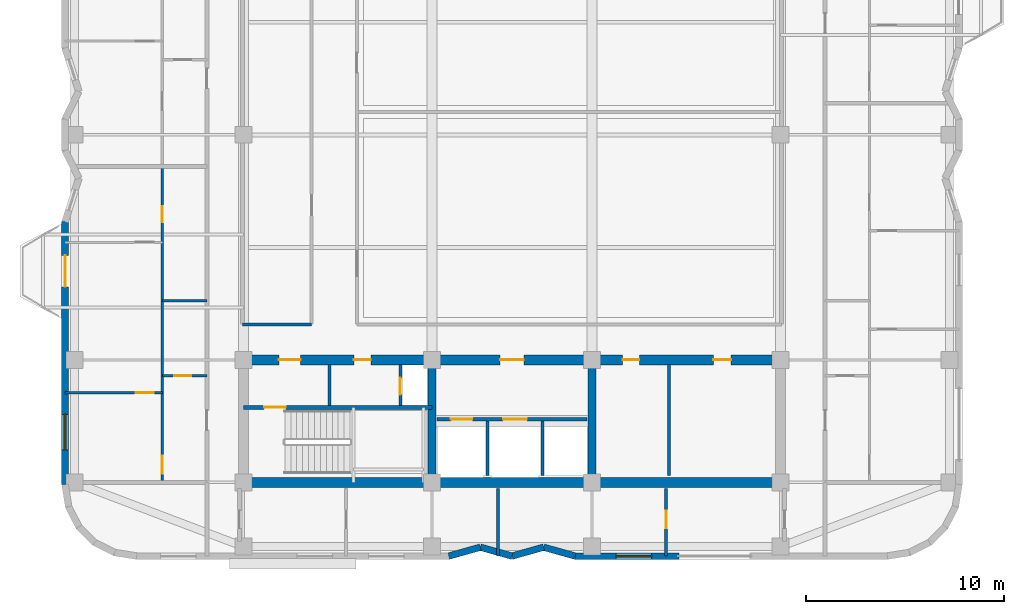
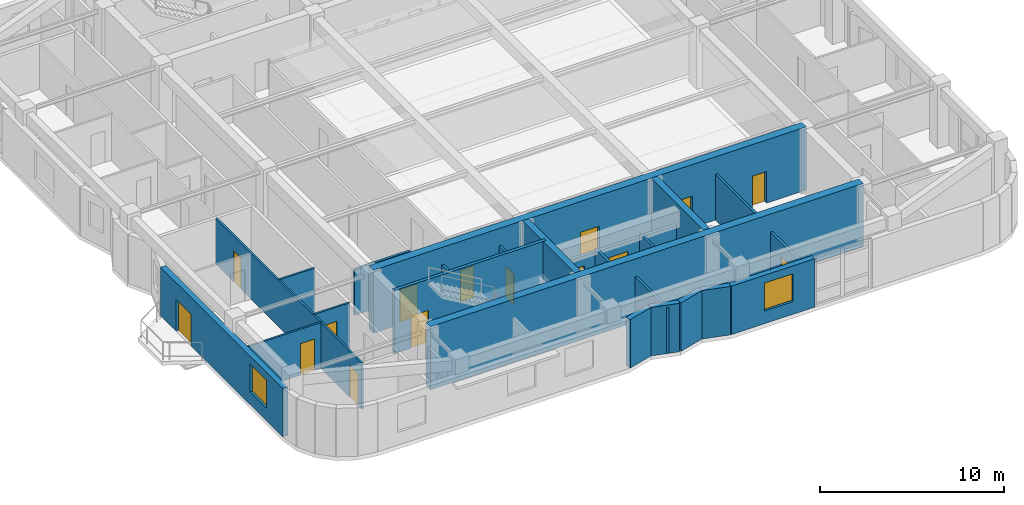
# One storey, part 5 of 11: 24 walls, 15 doors, 2 windows, 17 openings.
"""IFC4 building model written with IfcOpenShell, lengths in metres."""

from ifc_helpers import new_model, si_unit, direction, frame, frame_2d, origin, place, context, subcontext, project, spatial, rectangle, extrude, material, layer, layer_set, type_object, element, fill, save


model = new_model("IFC4")

# Units and contexts
model_context = context("Model", 3, precision=1e-05, world=origin(), true_north=direction((0.0, 1.0)))
body_context = subcontext(model_context, "Body", "Model", "MODEL_VIEW")
ifc_project = project(units=[si_unit("LENGTHUNIT", "METRE"), si_unit("AREAUNIT", "SQUARE_METRE"), si_unit("VOLUMEUNIT", "CUBIC_METRE"), si_unit("PLANEANGLEUNIT", "RADIAN"), si_unit("MASSUNIT", "GRAM", prefix="KILO")], contexts=[model_context])

# Site, building, storey
site_placement = place(None, origin())
site = spatial("IfcSite", under=ifc_project, at=site_placement, CompositionType="ELEMENT")
building_placement = place(site_placement, origin())
building = spatial("IfcBuilding", under=site, at=building_placement, Name="Svetorya Sky Lyceum", CompositionType="ELEMENT")
storey_placement = place(building_placement, frame((0.0, 0.0, 203.10009765625)))
storey = spatial("IfcBuildingStorey", under=building, at=storey_placement, Name="L50", CompositionType="ELEMENT", Elevation=203.10009765625)

# Walls
ifc_material_1 = material(Name="Concrete C40/50", Category="concrete")
ifc_layer_1 = layer(ifc_material_1, 0.39990234375)
ifc_layer_set_1 = layer_set([ifc_layer_1], Name="Concrete C40/50")
wall_type_1 = type_object("IfcWallType", Name="WL-CORE-400", PredefinedType="SHEAR", material=ifc_layer_set_1)
for number, where, z_axis, x_axis, name in (
    (1, (35.14990234375, 10.85009765625, 0.0), (0.0, 0.0, 1.0), (0.0, 1.0, 0.0), "L50 SC Internal Shear Web WEB1"),
    (2, (43.25, 10.85009765625, 0.0), (0.0, 0.0, 1.0), (0.0, 1.0, 0.0), "L50 SC Internal Shear Web WEB2"),
):
    element("IfcWall", number, at=place(storey_placement, frame(where, z_axis=z_axis, x_axis=x_axis)), inside=storey, type_object=wall_type_1, Name=name, PredefinedType="SHEAR", context=body_context, shape_type="SweptSolid", body=[
        extrude(rectangle(XDim=5.699951171875, YDim=0.39990234375, at=frame_2d((2.85009765625, 0.0))), origin(), (0.0, 0.0, 1.0), 4.199951171875),
    ])
ifc_material_2 = material(Name="Concrete C50/60", Category="concrete")
ifc_layer_2 = layer(ifc_material_2, 0.5)
ifc_layer_set_2 = layer_set([ifc_layer_2], Name="Concrete C50/60")
wall_type_2 = type_object("IfcWallType", Name="WL-CORE-500", PredefinedType="SHEAR", material=ifc_layer_set_2)
wall_1_placement = place(storey_placement, frame((52.800048828125, 10.60009765625, 0.0), z_axis=(0.0, 0.0, 1.0), x_axis=(-1.0, 0.0, 0.0)))
element("IfcWall", 3, at=wall_1_placement, inside=storey, type_object=wall_type_2, Name="L50 SC Outer Core Shear Wall", PredefinedType="SHEAR", context=body_context, shape_type="SweptSolid", body=[
    extrude(rectangle(XDim=27.199951171875, YDim=0.5, at=frame_2d((13.60009765625, 0.0))), origin(), (0.0, 0.0, 1.0), 4.199951171875),
])

# Wall, openings, doors
wall_2_placement = place(storey_placement, frame((25.60009765625, 16.800048828125, 0.0), z_axis=(0.0, 0.0, 1.0), x_axis=(1.0, 0.0, 0.0)))
wall_2 = element("IfcWall", 4, at=wall_2_placement, inside=storey, type_object=wall_type_2, Name="L50 SC Inner Core Shear Wall", PredefinedType="SHEAR", context=body_context, shape_type="SweptSolid", body=[
    extrude(rectangle(XDim=27.199951171875, YDim=0.5, at=frame_2d((13.60009765625, 0.0))), origin(), (0.0, 0.0, 1.0), 4.199951171875),
])
opening_1_placement = place(wall_2_placement, frame((1.800048828125, 0.0, 0.0)))
opening_1 = element("IfcOpeningElement", 5, at=opening_1_placement, cuts=wall_2, Name="Opening D-ST1", PredefinedType="OPENING", context=body_context, shape_type="SweptSolid", body=[
    extrude(rectangle(XDim=1.10009765625, YDim=2.14990234375, at=frame_2d((0.550048828125, 1.074951171875))), frame((0.0, 0.260009765625, 0.0), z_axis=(0.0, -1.0, 0.0), x_axis=(1.0, 0.0, 0.0)), (0.0, 0.0, 1.0), 0.52001953125),
])
opening_2_placement = place(wall_2_placement, frame((5.60009765625, 0.0, 0.0)))
opening_2 = element("IfcOpeningElement", 6, at=opening_2_placement, cuts=wall_2, Name="Opening D-CWC1", PredefinedType="OPENING", context=body_context, shape_type="SweptSolid", body=[
    extrude(rectangle(XDim=0.85009765625, YDim=2.10009765625, at=frame_2d((0.425048828125, 1.050048828125))), frame((0.0, 0.260009765625, 0.0), z_axis=(0.0, -1.0, 0.0), x_axis=(1.0, 0.0, 0.0)), (0.0, 0.0, 1.0), 0.52001953125),
])
opening_3_placement = place(wall_2_placement, frame((13.0, 0.0, 0.0)))
opening_3 = element("IfcOpeningElement", 7, at=opening_3_placement, cuts=wall_2, Name="Opening D-FL1", PredefinedType="OPENING", context=body_context, shape_type="SweptSolid", body=[
    extrude(rectangle(XDim=1.199951171875, YDim=2.14990234375, at=frame_2d((0.60009765625, 1.074951171875))), frame((0.0, 0.260009765625, 0.0), z_axis=(0.0, -1.0, 0.0), x_axis=(1.0, 0.0, 0.0)), (0.0, 0.0, 1.0), 0.52001953125),
])
opening_4_placement = place(wall_2_placement, frame((19.199951171875, 0.0, 0.0)))
opening_4 = element("IfcOpeningElement", 8, at=opening_4_placement, cuts=wall_2, Name="Opening D-CWC1", PredefinedType="OPENING", context=body_context, shape_type="SweptSolid", body=[
    extrude(rectangle(XDim=0.85009765625, YDim=2.10009765625, at=frame_2d((0.425048828125, 1.050048828125))), frame((0.0, 0.260009765625, 0.0), z_axis=(0.0, -1.0, 0.0), x_axis=(1.0, 0.0, 0.0)), (0.0, 0.0, 1.0), 0.52001953125),
])
opening_5_placement = place(wall_2_placement, frame((23.800048828125, 0.0, 0.0)))
opening_5 = element("IfcOpeningElement", 9, at=opening_5_placement, cuts=wall_2, Name="Opening D-RM1", PredefinedType="OPENING", context=body_context, shape_type="SweptSolid", body=[
    extrude(rectangle(XDim=0.89990234375, YDim=2.10009765625, at=frame_2d((0.449951171875, 1.050048828125))), frame((0.0, 0.260009765625, 0.0), z_axis=(0.0, -1.0, 0.0), x_axis=(1.0, 0.0, 0.0)), (0.0, 0.0, 1.0), 0.52001953125),
])
ifc_material_3 = material(Name="Fire-rated galvanized steel core service closet door", Category="steel")
door_type_1 = type_object("IfcDoorType", Name="DR-CWET-850", OperationType="SINGLE_SWING_LEFT", PredefinedType="DOOR", material=ifc_material_3)
door_1_placement = place(opening_2_placement, origin())
door_1 = element("IfcDoor", 10, at=door_1_placement, inside=storey, type_object=door_type_1, Name="L50 South Hydrant Room Door", OperationType="SINGLE_SWING_LEFT", OverallHeight=2.10009765625, OverallWidth=0.85009765625, PredefinedType="DOOR", context=body_context, shape_type="SweptSolid", body=[
    extrude(rectangle(XDim=0.85009765625, YDim=2.10009765625, at=frame_2d((0.425048828125, 1.050048828125))), frame((0.0, 0.02490234375, 0.0), z_axis=(0.0, -1.0, 0.0), x_axis=(1.0, 0.0, 0.0)), (0.0, 0.0, 1.0), 0.050048828125),
])
fill(opening_2, door_1)
door_2_placement = place(opening_4_placement, origin())
door_2 = element("IfcDoor", 11, at=door_2_placement, inside=storey, type_object=door_type_1, Name="L50 Laundry Door", OperationType="SINGLE_SWING_RIGHT", OverallHeight=2.10009765625, OverallWidth=0.85009765625, PredefinedType="DOOR", context=body_context, shape_type="SweptSolid", body=[
    extrude(rectangle(XDim=0.85009765625, YDim=2.10009765625, at=frame_2d((0.425048828125, 1.050048828125))), frame((0.0, 0.02490234375, 0.0), z_axis=(0.0, -1.0, 0.0), x_axis=(1.0, 0.0, 0.0)), (0.0, 0.0, 1.0), 0.050048828125),
])
fill(opening_4, door_2)
ifc_material_4 = material(Name="Powder-coated insulated galvanized stair fire door")
door_type_2 = type_object("IfcDoorType", Name="DR-FIRE-1100", OperationType="SINGLE_SWING_LEFT", PredefinedType="DOOR", material=ifc_material_4)
door_3_placement = place(opening_1_placement, origin())
door_3 = element("IfcDoor", 12, at=door_3_placement, inside=storey, type_object=door_type_2, Name="L50 South Stair Airlock Door", OperationType="SINGLE_SWING_RIGHT", OverallHeight=2.14990234375, OverallWidth=1.10009765625, PredefinedType="DOOR", context=body_context, shape_type="SweptSolid", body=[
    extrude(rectangle(XDim=1.10009765625, YDim=2.14990234375, at=frame_2d((0.550048828125, 1.074951171875))), frame((0.0, 0.02490234375, 0.0), z_axis=(0.0, -1.0, 0.0), x_axis=(1.0, 0.0, 0.0)), (0.0, 0.0, 1.0), 0.050048828125),
])
fill(opening_1, door_3)
ifc_material_5 = material(Name="Powder-coated insulated galvanized fire door")
door_type_3 = type_object("IfcDoorType", Name="DR-FIRE-1200", OperationType="SINGLE_SWING_LEFT", PredefinedType="DOOR", material=ifc_material_5)
door_4_placement = place(opening_3_placement, origin())
door_4 = element("IfcDoor", 13, at=door_4_placement, inside=storey, type_object=door_type_3, Name="L50 South Firefighting Lift Lobby Door", OperationType="SINGLE_SWING_LEFT", OverallHeight=2.14990234375, OverallWidth=1.199951171875, PredefinedType="DOOR", context=body_context, shape_type="SweptSolid", body=[
    extrude(rectangle(XDim=1.199951171875, YDim=2.14990234375, at=frame_2d((0.60009765625, 1.074951171875))), frame((0.0, 0.02490234375, 0.0), z_axis=(0.0, -1.0, 0.0), x_axis=(1.0, 0.0, 0.0)), (0.0, 0.0, 1.0), 0.050048828125),
])
fill(opening_3, door_4)
ifc_material_6 = material(Name="Lacquered birch veneer internal door")
door_type_4 = type_object("IfcDoorType", Name="DR-INT-900", OperationType="SINGLE_SWING_LEFT", PredefinedType="DOOR", material=ifc_material_6)
door_5_placement = place(opening_5_placement, origin())
door_5 = element("IfcDoor", 14, at=door_5_placement, inside=storey, type_object=door_type_4, Name="L50 Pantry Door", OperationType="SINGLE_SWING_LEFT", OverallHeight=2.10009765625, OverallWidth=0.89990234375, PredefinedType="DOOR", context=body_context, shape_type="SweptSolid", body=[
    extrude(rectangle(XDim=0.89990234375, YDim=2.10009765625, at=frame_2d((0.449951171875, 1.050048828125))), frame((0.0, 0.02490234375, 0.0), z_axis=(0.0, -1.0, 0.0), x_axis=(1.0, 0.0, 0.0)), (0.0, 0.0, 1.0), 0.050048828125),
])
fill(opening_5, door_5)

# Walls
ifc_material_7 = material(Name="Putilovo limestone rainscreen on autoclaved cellular masonry", Category="masonry")
ifc_layer_3 = layer(ifc_material_7, 0.340087890625)
ifc_layer_set_3 = layer_set([ifc_layer_3], Name="Putilovo limestone rainscreen on autoclaved cellular masonry")
wall_type_3 = type_object("IfcWallType", Name="WL-EXT-340", PredefinedType="SOLIDWALL", material=ifc_layer_set_3)
wall_3_placement = place(storey_placement, frame((36.0, 6.8701171875, 0.0), z_axis=(0.0, 0.0, 1.0), x_axis=(0.962662902433, 0.270703040766, 0.0)))
element("IfcWall", 15, at=wall_3_placement, inside=storey, type_object=wall_type_3, Name="L50 Limestone Exterior Wall 7M", PredefinedType="SOLIDWALL", context=body_context, shape_type="SweptSolid", body=[
    extrude(rectangle(XDim=1.662109375, YDim=0.340087890625, at=frame_2d((0.8310546875, 0.0))), origin(), (0.0, 0.0, 1.0), 3.219970703125),
])
wall_4_placement = place(storey_placement, frame((37.60009765625, 7.320068359375, 0.0), z_axis=(0.0, 0.0, 1.0), x_axis=(0.962652136636, -0.270741322725, 0.0)))
element("IfcWall", 16, at=wall_4_placement, inside=storey, type_object=wall_type_3, Name="L50 Limestone Exterior Wall 8M", PredefinedType="SOLIDWALL", context=body_context, shape_type="SweptSolid", body=[
    extrude(rectangle(XDim=1.661865234375, YDim=0.340087890625, at=frame_2d((0.8310546875, 0.0))), origin(), (0.0, 0.0, 1.0), 3.219970703125),
])
wall_5_placement = place(storey_placement, frame((39.199951171875, 6.8701171875, 0.0), z_axis=(0.0, 0.0, 1.0), x_axis=(0.962662902433, 0.270703040766, 0.0)))
element("IfcWall", 17, at=wall_5_placement, inside=storey, type_object=wall_type_3, Name="L50 Limestone Exterior Wall 9M", PredefinedType="SOLIDWALL", context=body_context, shape_type="SweptSolid", body=[
    extrude(rectangle(XDim=1.662109375, YDim=0.340087890625, at=frame_2d((0.8310546875, 0.0))), origin(), (0.0, 0.0, 1.0), 3.219970703125),
])
wall_6_placement = place(storey_placement, frame((40.800048828125, 7.320068359375, 0.0), z_axis=(0.0, 0.0, 1.0), x_axis=(0.962652136636, -0.270741322725, 0.0)))
element("IfcWall", 18, at=wall_6_placement, inside=storey, type_object=wall_type_3, Name="L50 Limestone Exterior Wall 10M", PredefinedType="SOLIDWALL", context=body_context, shape_type="SweptSolid", body=[
    extrude(rectangle(XDim=1.661865234375, YDim=0.340087890625, at=frame_2d((0.8310546875, 0.0))), origin(), (0.0, 0.0, 1.0), 3.219970703125),
])

# Wall, opening, window
wall_7_placement = place(storey_placement, frame((42.39990234375, 6.8701171875, 0.0), z_axis=(0.0, 0.0, 1.0), x_axis=(1.0, 0.0, 0.0)))
wall_7 = element("IfcWall", 19, at=wall_7_placement, inside=storey, type_object=wall_type_3, Name="L50 Limestone Exterior Wall 11A", PredefinedType="SOLIDWALL", context=body_context, shape_type="SweptSolid", body=[
    extrude(rectangle(XDim=5.25, YDim=0.340087890625, at=frame_2d((2.625, 0.0))), origin(), (0.0, 0.0, 1.0), 3.219970703125),
])
opening_6_placement = place(wall_7_placement, frame((2.074951171875, 0.0, 0.85009765625)))
opening_6 = element("IfcOpeningElement", 20, at=opening_6_placement, cuts=wall_7, Name="Opening W-R1", PredefinedType="OPENING", context=body_context, shape_type="SweptSolid", body=[
    extrude(rectangle(XDim=1.800048828125, YDim=1.85009765625, at=frame_2d((0.89990234375, 0.925048828125))), frame((0.0, 0.179931640625, 0.0), z_axis=(0.0, -1.0, 0.0), x_axis=(1.0, 0.0, 0.0)), (0.0, 0.0, 1.0), 0.360107421875),
])
ifc_material_8 = material(Name="Thermally broken aluminium frame with triple low-E glazing", Category="aluminium")
window_type = type_object("IfcWindowType", Name="WN-RES-180", PartitioningType="DOUBLE_PANEL_VERTICAL", PredefinedType="WINDOW", material=ifc_material_8)
window_1_placement = place(opening_6_placement, origin())
window_1 = element("IfcWindow", 21, at=window_1_placement, inside=storey, type_object=window_type, Name="L50 Facade Window W-R1.11A.1", OverallHeight=1.85009765625, OverallWidth=1.800048828125, PartitioningType="SINGLE_PANEL", PredefinedType="WINDOW", context=body_context, shape_type="SweptSolid", body=[
    extrude(rectangle(XDim=1.800048828125, YDim=1.85009765625, at=frame_2d((0.89990234375, 0.925048828125))), frame((0.0, 0.030029296875, 0.0), z_axis=(0.0, -1.0, 0.0), x_axis=(1.0, 0.0, 0.0)), (0.0, 0.0, 1.0), 0.06005859375),
])
fill(opening_6, window_1)

# Wall, openings, door, window
wall_8_placement = place(storey_placement, frame((16.570068359375, 23.800048828125, 0.0), z_axis=(0.0, 0.0, 1.0), x_axis=(0.0, -1.0, 0.0)))
wall_8 = element("IfcWall", 22, at=wall_8_placement, inside=storey, type_object=wall_type_3, Name="L50 Limestone Exterior Wall 46M", PredefinedType="SOLIDWALL", context=body_context, shape_type="SweptSolid", body=[
    extrude(rectangle(XDim=13.300048828125, YDim=0.340087890625, at=frame_2d((6.64990234375, 0.0))), origin(), (0.0, 0.0, 1.0), 3.219970703125),
])
opening_7_placement = place(wall_8_placement, frame((1.699951171875, 0.0, 0.0)))
opening_7 = element("IfcOpeningElement", 23, at=opening_7_placement, cuts=wall_8, Name="Opening D-BL1", PredefinedType="OPENING", context=body_context, shape_type="SweptSolid", body=[
    extrude(rectangle(XDim=1.60009765625, YDim=2.10009765625, at=frame_2d((0.800048828125, 1.050048828125))), frame((0.0, 0.179931640625, 0.0), z_axis=(0.0, -1.0, 0.0), x_axis=(1.0, 0.0, 0.0)), (0.0, 0.0, 1.0), 0.360107421875),
])
opening_8_placement = place(wall_8_placement, frame((9.75, 0.0, 0.85009765625)))
opening_8 = element("IfcOpeningElement", 24, at=opening_8_placement, cuts=wall_8, Name="Opening W-R1", PredefinedType="OPENING", context=body_context, shape_type="SweptSolid", body=[
    extrude(rectangle(XDim=1.800048828125, YDim=1.85009765625, at=frame_2d((0.89990234375, 0.925048828125))), frame((0.0, 0.179931640625, 0.0), z_axis=(0.0, -1.0, 0.0), x_axis=(1.0, 0.0, 0.0)), (0.0, 0.0, 1.0), 0.360107421875),
])
ifc_material_9 = material(Name="Insulated glazed aluminium balcony door", Category="aluminium")
door_type_5 = type_object("IfcDoorType", Name="DR-BAL-1600", OperationType="DOUBLE_DOOR_SINGLE_SWING", PredefinedType="DOOR", material=ifc_material_9)
door_6_placement = place(opening_7_placement, origin())
door_6 = element("IfcDoor", 25, at=door_6_placement, inside=storey, type_object=door_type_5, Name="L50 Balcony BAL-W1 Door", OperationType="DOUBLE_DOOR_SINGLE_SWING", OverallHeight=2.10009765625, OverallWidth=1.60009765625, PredefinedType="DOOR", context=body_context, shape_type="SweptSolid", body=[
    extrude(rectangle(XDim=1.60009765625, YDim=2.10009765625, at=frame_2d((0.800048828125, 1.050048828125))), frame((0.0, 0.02490234375, 0.0), z_axis=(0.0, -1.0, 0.0), x_axis=(1.0, 0.0, 0.0)), (0.0, 0.0, 1.0), 0.050048828125),
])
fill(opening_7, door_6)
window_2_placement = place(opening_8_placement, origin())
window_2 = element("IfcWindow", 26, at=window_2_placement, inside=storey, type_object=window_type, Name="L50 Facade Window W-R1.46M.1", OverallHeight=1.85009765625, OverallWidth=1.800048828125, PartitioningType="SINGLE_PANEL", PredefinedType="WINDOW", context=body_context, shape_type="SweptSolid", body=[
    extrude(rectangle(XDim=1.800048828125, YDim=1.85009765625, at=frame_2d((0.89990234375, 0.925048828125))), frame((0.0, 0.030029296875, 0.0), z_axis=(0.0, -1.0, 0.0), x_axis=(1.0, 0.0, 0.0)), (0.0, 0.0, 1.0), 0.06005859375),
])
fill(opening_8, window_2)

# Wall, opening, door
ifc_material_10 = material(Name="Twin-stud galvanized framing with double fireboard", Category="gypsum")
ifc_layer_4 = layer(ifc_material_10, 0.1201171875)
ifc_layer_set_4 = layer_set([ifc_layer_4], Name="Twin-stud galvanized framing with double fireboard")
wall_type_4 = type_object("IfcWallType", Name="WL-PART-120", PredefinedType="PARTITIONING", material=ifc_layer_set_4)
wall_9_placement = place(storey_placement, frame((21.5, 16.0, 0.0), z_axis=(0.0, 0.0, 1.0), x_axis=(1.0, 0.0, 0.0)))
wall_9 = element("IfcWall", 27, at=wall_9_placement, inside=storey, type_object=wall_type_4, Name="L50 Interior Partition W1-WH1", PredefinedType="PARTITIONING", context=body_context, shape_type="SweptSolid", body=[
    extrude(rectangle(XDim=2.25, YDim=0.1201171875, at=frame_2d((1.125, 0.0))), origin(), (0.0, 0.0, 1.0), 3.0498046875),
])
opening_9_placement = place(wall_9_placement, frame((0.60009765625, 0.0, 0.0)))
opening_9 = element("IfcOpeningElement", 28, at=opening_9_placement, cuts=wall_9, Name="Opening D-BT1", PredefinedType="OPENING", context=body_context, shape_type="SweptSolid", body=[
    extrude(rectangle(XDim=0.85009765625, YDim=2.10009765625, at=frame_2d((0.425048828125, 1.050048828125))), frame((0.0, 0.070068359375, 0.0), z_axis=(0.0, -1.0, 0.0), x_axis=(1.0, 0.0, 0.0)), (0.0, 0.0, 1.0), 0.14013671875),
])
ifc_material_11 = material(Name="Moisture-resistant laminate bathroom door")
door_type_6 = type_object("IfcDoorType", Name="DR-WET-850", OperationType="SINGLE_SWING_LEFT", PredefinedType="DOOR", material=ifc_material_11)
door_7_placement = place(opening_9_placement, origin())
door_7 = element("IfcDoor", 29, at=door_7_placement, inside=storey, type_object=door_type_6, Name="Apartment W1 Bathroom Door", OperationType="SINGLE_SWING_LEFT", OverallHeight=2.10009765625, OverallWidth=0.85009765625, PredefinedType="DOOR", context=body_context, shape_type="SweptSolid", body=[
    extrude(rectangle(XDim=0.85009765625, YDim=2.10009765625, at=frame_2d((0.425048828125, 1.050048828125))), frame((0.0, 0.02490234375, 0.0), z_axis=(0.0, -1.0, 0.0), x_axis=(1.0, 0.0, 0.0)), (0.0, 0.0, 1.0), 0.050048828125),
])
fill(opening_9, door_7)

# Wall
wall_10_placement = place(storey_placement, frame((21.5, 19.800048828125, 0.0), z_axis=(0.0, 0.0, 1.0), x_axis=(1.0, 0.0, 0.0)))
element("IfcWall", 30, at=wall_10_placement, inside=storey, type_object=wall_type_4, Name="L50 Interior Partition W1-WH2", PredefinedType="PARTITIONING", context=body_context, shape_type="SweptSolid", body=[
    extrude(rectangle(XDim=2.25, YDim=0.1201171875, at=frame_2d((1.125, 0.0))), origin(), (0.0, 0.0, 1.0), 3.0498046875),
])

# Wall, opening, door
wall_11_placement = place(storey_placement, frame((16.570068359375, 15.14990234375, 0.0), z_axis=(0.0, 0.0, 1.0), x_axis=(1.0, 0.0, 0.0)))
wall_11 = element("IfcWall", 31, at=wall_11_placement, inside=storey, type_object=wall_type_4, Name="L50 Interior Partition W1-WL1", PredefinedType="PARTITIONING", context=body_context, shape_type="SweptSolid", body=[
    extrude(rectangle(XDim=4.929931640625, YDim=0.1201171875, at=frame_2d((2.46484375, 0.0))), origin(), (0.0, 0.0, 1.0), 3.0498046875),
])
opening_10_placement = place(wall_11_placement, frame((3.580078125, 0.0, 0.0)))
opening_10 = element("IfcOpeningElement", 32, at=opening_10_placement, cuts=wall_11, Name="Opening D-RM1", PredefinedType="OPENING", context=body_context, shape_type="SweptSolid", body=[
    extrude(rectangle(XDim=0.89990234375, YDim=2.10009765625, at=frame_2d((0.449951171875, 1.050048828125))), frame((0.0, 0.070068359375, 0.0), z_axis=(0.0, -1.0, 0.0), x_axis=(1.0, 0.0, 0.0)), (0.0, 0.0, 1.0), 0.14013671875),
])
door_8_placement = place(opening_10_placement, origin())
door_8 = element("IfcDoor", 33, at=door_8_placement, inside=storey, type_object=door_type_4, Name="Apartment W1 Master Bedroom Door", OperationType="SINGLE_SWING_LEFT", OverallHeight=2.10009765625, OverallWidth=0.89990234375, PredefinedType="DOOR", context=body_context, shape_type="SweptSolid", body=[
    extrude(rectangle(XDim=0.89990234375, YDim=2.10009765625, at=frame_2d((0.449951171875, 1.050048828125))), frame((0.0, 0.02490234375, 0.0), z_axis=(0.0, -1.0, 0.0), x_axis=(1.0, 0.0, 0.0)), (0.0, 0.0, 1.0), 0.050048828125),
])
fill(opening_10, door_8)

# Wall, openings, doors
wall_12_placement = place(storey_placement, frame((21.5, 10.639892578125, 0.0), z_axis=(0.0, 0.0, 1.0), x_axis=(0.0, 1.0, 0.0)))
wall_12 = element("IfcWall", 34, at=wall_12_placement, inside=storey, type_object=wall_type_4, Name="L50 Interior Partition W1-WV", PredefinedType="PARTITIONING", context=body_context, shape_type="SweptSolid", body=[
    extrude(rectangle(XDim=15.920166015625, YDim=0.1201171875, at=frame_2d((7.9599609375, 0.0))), origin(), (0.0, 0.0, 1.0), 3.0498046875),
])
opening_11_placement = place(wall_12_placement, frame((0.409912109375, 0.0, 0.0)))
opening_11 = element("IfcOpeningElement", 35, at=opening_11_placement, cuts=wall_12, Name="Opening D-RM1", PredefinedType="OPENING", context=body_context, shape_type="SweptSolid", body=[
    extrude(rectangle(XDim=0.89990234375, YDim=2.10009765625, at=frame_2d((0.449951171875, 1.050048828125))), frame((0.0, 0.070068359375, 0.0), z_axis=(0.0, -1.0, 0.0), x_axis=(1.0, 0.0, 0.0)), (0.0, 0.0, 1.0), 0.14013671875),
])
opening_12_placement = place(wall_12_placement, frame((13.125, 0.0, 0.0)))
opening_12 = element("IfcOpeningElement", 36, at=opening_12_placement, cuts=wall_12, Name="Opening D-BT2", PredefinedType="OPENING", context=body_context, shape_type="SweptSolid", body=[
    extrude(rectangle(XDim=0.820068359375, YDim=2.080078125, at=frame_2d((0.41015625, 1.0400390625))), frame((0.0, 0.070068359375, 0.0), z_axis=(0.0, -1.0, 0.0), x_axis=(1.0, 0.0, 0.0)), (0.0, 0.0, 1.0), 0.14013671875),
])
door_9_placement = place(opening_11_placement, origin())
door_9 = element("IfcDoor", 37, at=door_9_placement, inside=storey, type_object=door_type_4, Name="Apartment W1 Living Door", OperationType="SINGLE_SWING_RIGHT", OverallHeight=2.10009765625, OverallWidth=0.89990234375, PredefinedType="DOOR", context=body_context, shape_type="SweptSolid", body=[
    extrude(rectangle(XDim=0.89990234375, YDim=2.10009765625, at=frame_2d((0.449951171875, 1.050048828125))), frame((0.0, 0.02490234375, 0.0), z_axis=(0.0, -1.0, 0.0), x_axis=(1.0, 0.0, 0.0)), (0.0, 0.0, 1.0), 0.050048828125),
])
fill(opening_11, door_9)
ifc_material_12 = material(Name="Compact moisture-resistant laminate closet door")
door_type_7 = type_object("IfcDoorType", Name="DR-WET-820", OperationType="SINGLE_SWING_LEFT", PredefinedType="DOOR", material=ifc_material_12)
door_10_placement = place(opening_12_placement, origin())
door_10 = element("IfcDoor", 38, at=door_10_placement, inside=storey, type_object=door_type_7, Name="Apartment W1 Study Door", OperationType="SINGLE_SWING_LEFT", OverallHeight=2.080078125, OverallWidth=0.820068359375, PredefinedType="DOOR", context=body_context, shape_type="SweptSolid", body=[
    extrude(rectangle(XDim=0.820068359375, YDim=2.080078125, at=frame_2d((0.41015625, 1.0400390625))), frame((0.0, 0.02490234375, 0.0), z_axis=(0.0, -1.0, 0.0), x_axis=(1.0, 0.0, 0.0)), (0.0, 0.0, 1.0), 0.050048828125),
])
fill(opening_12, door_10)

# Wall
ifc_material_13 = material(Name="Autoclaved cellular masonry blockwork with acoustic render", Category="masonry")
ifc_layer_5 = layer(ifc_material_13, 0.14990234375)
ifc_layer_set_5 = layer_set([ifc_layer_5], Name="Autoclaved cellular masonry blockwork with acoustic render")
wall_type_5 = type_object("IfcWallType", Name="WL-PART-150", PredefinedType="PARTITIONING", material=ifc_layer_set_5)
wall_13_placement = place(storey_placement, frame((29.949951171875, 14.5, 0.0), z_axis=(0.0, 0.0, 1.0), x_axis=(0.0, 1.0, 0.0)))
element("IfcWall", 39, at=wall_13_placement, inside=storey, type_object=wall_type_5, Name="L50 Interior Partition SC-SWD1", PredefinedType="PARTITIONING", context=body_context, shape_type="SweptSolid", body=[
    extrude(rectangle(XDim=2.080078125, YDim=0.14990234375, at=frame_2d((1.0400390625, 0.0))), origin(), (0.0, 0.0, 1.0), 3.0498046875),
])

# Wall, opening, door
wall_14_placement = place(storey_placement, frame((33.550048828125, 14.5, 0.0), z_axis=(0.0, 0.0, 1.0), x_axis=(0.0, 1.0, 0.0)))
wall_14 = element("IfcWall", 40, at=wall_14_placement, inside=storey, type_object=wall_type_5, Name="L50 Interior Partition SC-SWD2", PredefinedType="PARTITIONING", context=body_context, shape_type="SweptSolid", body=[
    extrude(rectangle(XDim=2.080078125, YDim=0.14990234375, at=frame_2d((1.0400390625, 0.0))), origin(), (0.0, 0.0, 1.0), 3.0498046875),
])
opening_13_placement = place(wall_14_placement, frame((0.550048828125, 0.0, 0.0)))
opening_13 = element("IfcOpeningElement", 41, at=opening_13_placement, cuts=wall_14, Name="Opening D-SH1", PredefinedType="OPENING", context=body_context, shape_type="SweptSolid", body=[
    extrude(rectangle(XDim=0.85009765625, YDim=2.050048828125, at=frame_2d((0.425048828125, 1.02490234375))), frame((0.0, 0.0849609375, 0.0), z_axis=(0.0, -1.0, 0.0), x_axis=(1.0, 0.0, 0.0)), (0.0, 0.0, 1.0), 0.169921875),
])
ifc_material_14 = material(Name="Insulated galvanized riser inspection fire door")
door_type_8 = type_object("IfcDoorType", Name="DR-SHFT-850", OperationType="SINGLE_SWING_LEFT", PredefinedType="TRAPDOOR", material=ifc_material_14)
door_11_placement = place(opening_13_placement, origin())
door_11 = element("IfcDoor", 42, at=door_11_placement, inside=storey, type_object=door_type_8, Name="L50 South Riser Access Door", OperationType="SINGLE_SWING_RIGHT", OverallHeight=2.050048828125, OverallWidth=0.85009765625, PredefinedType="TRAPDOOR", context=body_context, shape_type="SweptSolid", body=[
    extrude(rectangle(XDim=0.85009765625, YDim=2.050048828125, at=frame_2d((0.425048828125, 1.02490234375))), frame((0.0, 0.02490234375, 0.0), z_axis=(0.0, -1.0, 0.0), x_axis=(1.0, 0.0, 0.0)), (0.0, 0.0, 1.0), 0.050048828125),
])
fill(opening_13, door_11)

# Walls
for number, where, z_axis, x_axis, name in (
    (43, (37.949951171875, 10.949951171875, 0.0), (0.0, 0.0, 1.0), (0.0, 1.0, 0.0), "L50 Interior Partition SC-SHD1"),
    (44, (40.75, 10.949951171875, 0.0), (0.0, 0.0, 1.0), (0.0, 1.0, 0.0), "L50 Interior Partition SC-SHD2"),
):
    element("IfcWall", number, at=place(storey_placement, frame(where, z_axis=z_axis, x_axis=x_axis)), inside=storey, type_object=wall_type_5, Name=name, PredefinedType="PARTITIONING", context=body_context, shape_type="SweptSolid", body=[
        extrude(rectangle(XDim=2.75, YDim=0.14990234375, at=frame_2d((1.375, 0.0))), origin(), (0.0, 0.0, 1.0), 3.0498046875),
    ])
wall_15_placement = place(storey_placement, frame((47.14990234375, 10.949951171875, 0.0), z_axis=(0.0, 0.0, 1.0), x_axis=(0.0, 1.0, 0.0)))
element("IfcWall", 45, at=wall_15_placement, inside=storey, type_object=wall_type_5, Name="L50 Interior Partition SC-LV7-VA", PredefinedType="PARTITIONING", context=body_context, shape_type="SweptSolid", body=[
    extrude(rectangle(XDim=5.630126953125, YDim=0.14990234375, at=frame_2d((2.81494140625, 0.0))), origin(), (0.0, 0.0, 1.0), 3.0498046875),
])
wall_16_placement = place(storey_placement, frame((25.550048828125, 18.60009765625, 0.0), z_axis=(0.0, 0.0, 1.0), x_axis=(1.0, 0.0, 0.0)))
element("IfcWall", 46, at=wall_16_placement, inside=storey, type_object=wall_type_5, Name="L50 Interior Partition OFF-CS-W", PredefinedType="PARTITIONING", context=body_context, shape_type="SweptSolid", body=[
    extrude(rectangle(XDim=3.5, YDim=0.14990234375, at=frame_2d((1.75, 0.0))), origin(), (0.0, 0.0, 1.0), 3.0498046875),
])
wall_17_placement = place(storey_placement, frame((38.5, 6.8701171875, 0.0), z_axis=(0.0, 0.0, 1.0), x_axis=(0.0, 1.0, 0.0)))
element("IfcWall", 47, at=wall_17_placement, inside=storey, type_object=wall_type_5, Name="L50 Interior Partition S4-D2", PredefinedType="PARTITIONING", context=body_context, shape_type="SweptSolid", body=[
    extrude(rectangle(XDim=3.429931640625, YDim=0.14990234375, at=frame_2d((1.71484375, 0.0))), origin(), (0.0, 0.0, 1.0), 3.0498046875),
])

# Wall, opening, door
wall_18_placement = place(storey_placement, frame((47.0, 6.8701171875, 0.0), z_axis=(0.0, 0.0, 1.0), x_axis=(0.0, 1.0, 0.0)))
wall_18 = element("IfcWall", 48, at=wall_18_placement, inside=storey, type_object=wall_type_5, Name="L50 Interior Partition S4-D3", PredefinedType="PARTITIONING", context=body_context, shape_type="SweptSolid", body=[
    extrude(rectangle(XDim=3.429931640625, YDim=0.14990234375, at=frame_2d((1.71484375, 0.0))), origin(), (0.0, 0.0, 1.0), 3.0498046875),
])
opening_14_placement = place(wall_18_placement, frame((1.39990234375, 0.0, 0.0)))
opening_14 = element("IfcOpeningElement", 49, at=opening_14_placement, cuts=wall_18, Name="Opening D-RM1", PredefinedType="OPENING", context=body_context, shape_type="SweptSolid", body=[
    extrude(rectangle(XDim=0.89990234375, YDim=2.10009765625, at=frame_2d((0.449951171875, 1.050048828125))), frame((0.0, 0.0849609375, 0.0), z_axis=(0.0, -1.0, 0.0), x_axis=(1.0, 0.0, 0.0)), (0.0, 0.0, 1.0), 0.169921875),
])
door_12_placement = place(opening_14_placement, origin())
door_12 = element("IfcDoor", 50, at=door_12_placement, inside=storey, type_object=door_type_4, Name="L50 South Suite Door 3", OperationType="SINGLE_SWING_LEFT", OverallHeight=2.10009765625, OverallWidth=0.89990234375, PredefinedType="DOOR", context=body_context, shape_type="SweptSolid", body=[
    extrude(rectangle(XDim=0.89990234375, YDim=2.10009765625, at=frame_2d((0.449951171875, 1.050048828125))), frame((0.0, 0.02490234375, 0.0), z_axis=(0.0, -1.0, 0.0), x_axis=(1.0, 0.0, 0.0)), (0.0, 0.0, 1.0), 0.050048828125),
])
fill(opening_14, door_12)

# Wall, openings, doors
ifc_material_15 = material(Name="Autoclaved cellular masonry blockwork with gypsum plaster", Category="masonry")
ifc_layer_6 = layer(ifc_material_15, 0.199951171875)
ifc_layer_set_6 = layer_set([ifc_layer_6], Name="Autoclaved cellular masonry blockwork with gypsum plaster")
wall_type_6 = type_object("IfcWallType", Name="WL-PART-200", PredefinedType="PARTITIONING", material=ifc_layer_set_6)
wall_19_placement = place(storey_placement, frame((35.39990234375, 13.800048828125, 0.0), z_axis=(0.0, 0.0, 1.0), x_axis=(1.0, 0.0, 0.0)))
wall_19 = element("IfcWall", 51, at=wall_19_placement, inside=storey, type_object=wall_type_6, Name="L50 Interior Partition SC-FLW", PredefinedType="PARTITIONING", context=body_context, shape_type="SweptSolid", body=[
    extrude(rectangle(XDim=7.60009765625, YDim=0.199951171875, at=frame_2d((3.800048828125, 0.0))), origin(), (0.0, 0.0, 1.0), 2.81982421875),
])
opening_15_placement = place(wall_19_placement, frame((0.699951171875, 0.0, 0.0)))
opening_15 = element("IfcOpeningElement", 52, at=opening_15_placement, cuts=wall_19, Name="Opening LD-FL", PredefinedType="OPENING", context=body_context, shape_type="SweptSolid", body=[
    extrude(rectangle(XDim=1.10009765625, YDim=2.14990234375, at=frame_2d((0.550048828125, 1.074951171875))), frame((0.0, 0.10986328125, 0.0), z_axis=(0.0, -1.0, 0.0), x_axis=(1.0, 0.0, 0.0)), (0.0, 0.0, 1.0), 0.219970703125),
])
opening_16_placement = place(wall_19_placement, frame((3.35009765625, 0.0, 0.0)))
opening_16 = element("IfcOpeningElement", 53, at=opening_16_placement, cuts=wall_19, Name="Opening LD-SV", PredefinedType="OPENING", context=body_context, shape_type="SweptSolid", body=[
    extrude(rectangle(XDim=1.199951171875, YDim=2.14990234375, at=frame_2d((0.60009765625, 1.074951171875))), frame((0.0, 0.10986328125, 0.0), z_axis=(0.0, -1.0, 0.0), x_axis=(1.0, 0.0, 0.0)), (0.0, 0.0, 1.0), 0.219970703125),
])
ifc_material_16 = material(Name="Fire-rated stainless AISI 304 firefighting lift landing door")
door_type_9 = type_object("IfcDoorType", Name="DR-LIFT-1100", OperationType="SLIDING_TO_LEFT", PredefinedType="DOOR", material=ifc_material_16)
door_13_placement = place(opening_15_placement, origin())
door_13 = element("IfcDoor", 54, at=door_13_placement, inside=storey, type_object=door_type_9, Name="L50 Firefighting Lift FL2 Landing Door", OperationType="SLIDING_TO_LEFT", OverallHeight=2.14990234375, OverallWidth=1.10009765625, PredefinedType="DOOR", context=body_context, shape_type="SweptSolid", body=[
    extrude(rectangle(XDim=1.10009765625, YDim=2.14990234375, at=frame_2d((0.550048828125, 1.074951171875))), frame((0.0, 0.02490234375, 0.0), z_axis=(0.0, -1.0, 0.0), x_axis=(1.0, 0.0, 0.0)), (0.0, 0.0, 1.0), 0.050048828125),
])
fill(opening_15, door_13)
ifc_material_17 = material(Name="Brushed stainless AISI 304 telescopic lift landing door")
door_type_10 = type_object("IfcDoorType", Name="DR-LIFT-1200", OperationType="SLIDING_TO_LEFT", PredefinedType="DOOR", material=ifc_material_17)
door_14_placement = place(opening_16_placement, origin())
door_14 = element("IfcDoor", 55, at=door_14_placement, inside=storey, type_object=door_type_10, Name="L50 Service Lift SVL1 Landing Door", OperationType="SLIDING_TO_LEFT", OverallHeight=2.14990234375, OverallWidth=1.199951171875, PredefinedType="DOOR", context=body_context, shape_type="SweptSolid", body=[
    extrude(rectangle(XDim=1.199951171875, YDim=2.14990234375, at=frame_2d((0.60009765625, 1.074951171875))), frame((0.0, 0.02490234375, 0.0), z_axis=(0.0, -1.0, 0.0), x_axis=(1.0, 0.0, 0.0)), (0.0, 0.0, 1.0), 0.050048828125),
])
fill(opening_16, door_14)

# Wall, opening, door
ifc_layer_7 = layer(ifc_material_2, 0.199951171875)
ifc_layer_set_7 = layer_set([ifc_layer_7], Name="Concrete C50/60")
wall_type_7 = type_object("IfcWallType", Name="WL-SHW-200", PredefinedType="SHEAR", material=ifc_layer_set_7)
wall_20_placement = place(storey_placement, frame((25.60009765625, 14.39990234375, 0.0), z_axis=(0.0, 0.0, 1.0), x_axis=(1.0, 0.0, 0.0)))
wall_20 = element("IfcWall", 56, at=wall_20_placement, inside=storey, type_object=wall_type_7, Name="L50 Structural Stair Shaft Wall SC-STW", PredefinedType="SHEAR", context=body_context, shape_type="SweptSolid", body=[
    extrude(rectangle(XDim=9.5498046875, YDim=0.199951171875, at=frame_2d((4.77490234375, 0.0))), origin(), (0.0, 0.0, 1.0), 4.199951171875),
])
opening_17_placement = place(wall_20_placement, frame((1.050048828125, 0.0, 0.0)))
opening_17 = element("IfcOpeningElement", 57, at=opening_17_placement, cuts=wall_20, Name="Opening D-ST1", PredefinedType="OPENING", context=body_context, shape_type="SweptSolid", body=[
    extrude(rectangle(XDim=1.10009765625, YDim=2.14990234375, at=frame_2d((0.550048828125, 1.074951171875))), frame((0.0, 0.10986328125, 0.0), z_axis=(0.0, -1.0, 0.0), x_axis=(1.0, 0.0, 0.0)), (0.0, 0.0, 1.0), 0.219970703125),
])
door_15_placement = place(opening_17_placement, origin())
door_15 = element("IfcDoor", 58, at=door_15_placement, inside=storey, type_object=door_type_2, Name="L50 Stair ST-S Vestibule Fire Door", OperationType="SINGLE_SWING_LEFT", OverallHeight=2.14990234375, OverallWidth=1.10009765625, PredefinedType="DOOR", context=body_context, shape_type="SweptSolid", body=[
    extrude(rectangle(XDim=1.10009765625, YDim=2.14990234375, at=frame_2d((0.550048828125, 1.074951171875))), frame((0.0, 0.02490234375, 0.0), z_axis=(0.0, -1.0, 0.0), x_axis=(1.0, 0.0, 0.0)), (0.0, 0.0, 1.0), 0.050048828125),
])
fill(opening_17, door_15)

save(model, "model.ifc")
